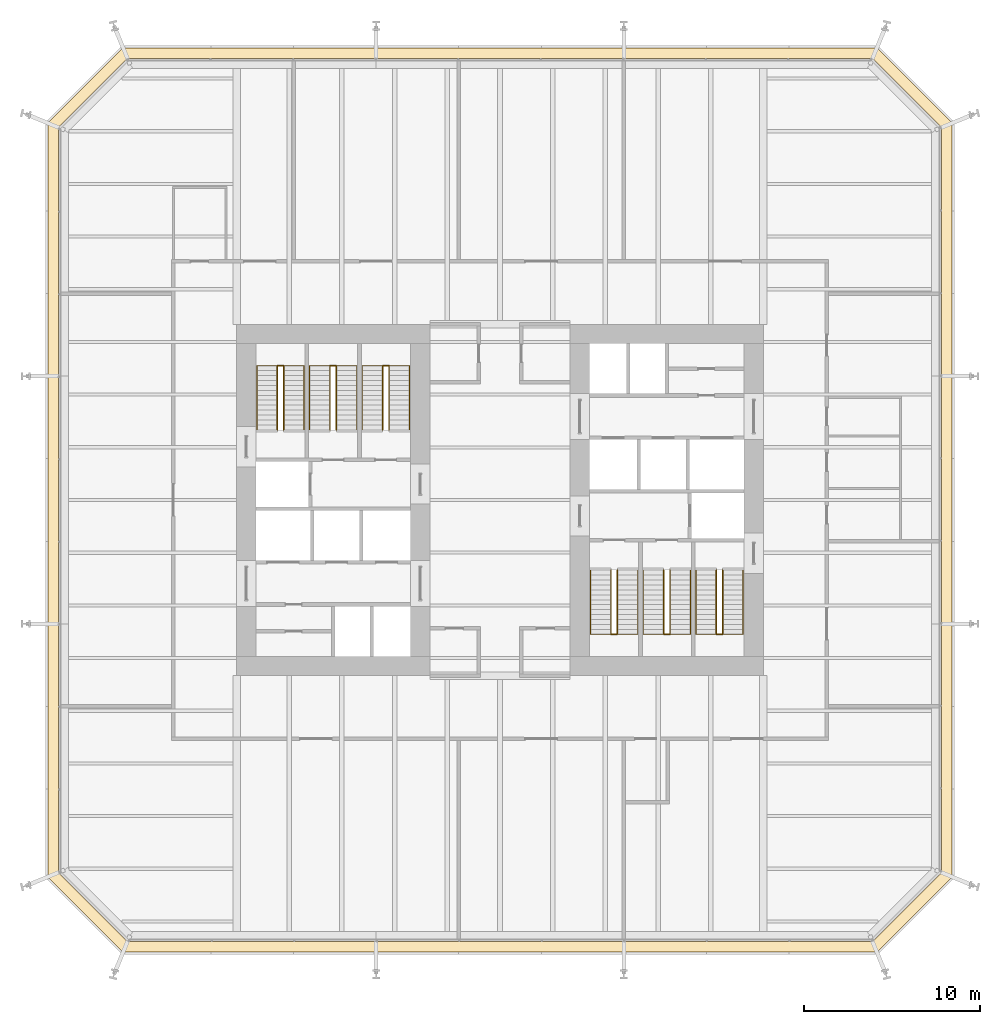
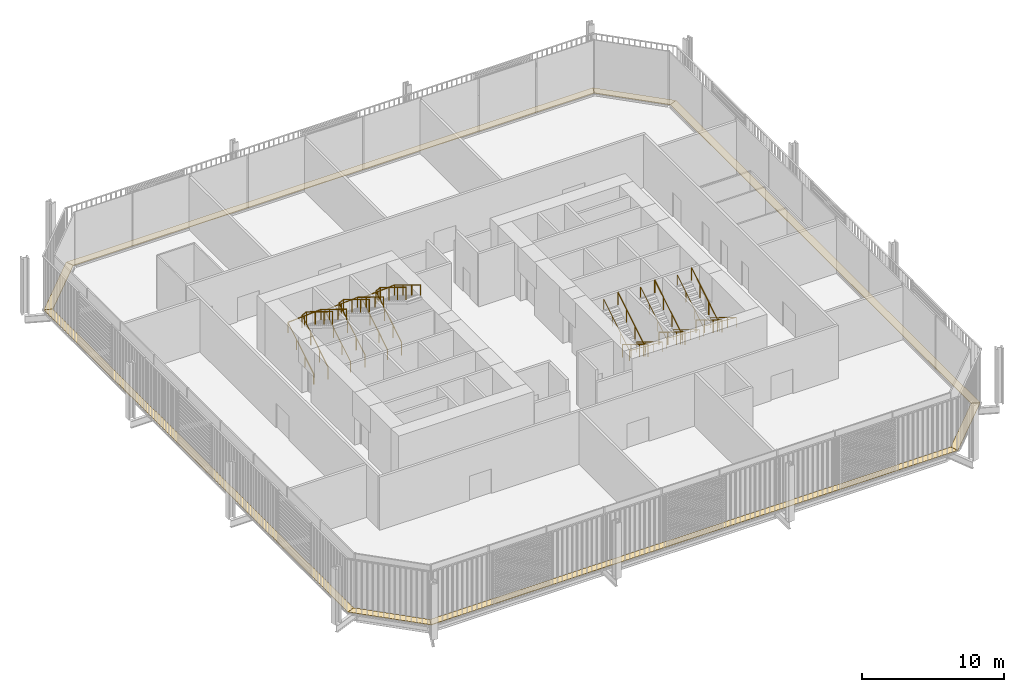
# One storey, part 22 of 22: 12 railings, 8 coverings.
"""IFC4 building model written with IfcOpenShell, lengths in metres."""

from ifc_helpers import new_model, si_unit, direction, frame, origin, origin_2d, place, context, subcontext, project, spatial, polyline, circle, outline, extrude, material, layer, layer_set, type_object, element, save


model = new_model("IFC4")

# Units and contexts
model_context = context("Model", 3, precision=1e-05, world=origin(), true_north=direction((0.0, 1.0)))
body_context = subcontext(model_context, "Body", "Model", "MODEL_VIEW")
ifc_project = project(units=[si_unit("LENGTHUNIT", "METRE"), si_unit("AREAUNIT", "SQUARE_METRE"), si_unit("VOLUMEUNIT", "CUBIC_METRE"), si_unit("PLANEANGLEUNIT", "RADIAN"), si_unit("MASSUNIT", "GRAM", prefix="KILO")], contexts=[model_context])

# Site, building, storey
site_placement = place(None, origin())
site = spatial("IfcSite", under=ifc_project, at=site_placement, CompositionType="ELEMENT")
building_placement = place(site_placement, origin())
building = spatial("IfcBuilding", under=site, at=building_placement, Name="Millrace Tower", CompositionType="ELEMENT")
storey_placement = place(building_placement, frame((0.0, 0.0, 40.10009765625)))
storey = spatial("IfcBuildingStorey", under=building, at=storey_placement, Name="L09", CompositionType="ELEMENT", Elevation=40.10009765625)

# Coverings
ifc_material_1 = material(Name="Steel ASTM A36", Category="steel")
ifc_layer = layer(ifc_material_1, 0.050048828125)
ifc_layer_set = layer_set([ifc_layer], Name="Steel ASTM A36")
covering_type = type_object("IfcCoveringType", Name="CAVITY CATWALK steel grating", PredefinedType="FLOORING", material=ifc_layer_set)
placement = place(storey_placement, frame((0.0, 0.0, 0.099853515625)))
element("IfcCovering", 1, at=placement, inside=storey, type_object=covering_type, Name="Cavity catwalk grating A-F01 L09 1", PredefinedType="FLOORING", context=body_context, shape_type="SweptSolid", body=[
    extrude(outline(polyline([(-25.75, -21.460693359375), (-21.460693359375, -25.75), (-21.212158203125, -25.14990234375), (-25.14990234375, -21.212158203125), (-25.75, -21.460693359375)])), origin(), (0.0, 0.0, 1.0), 0.050048828125),
])
element("IfcCovering", 2, at=placement, inside=storey, type_object=covering_type, Name="Cavity catwalk grating A-F02 L09 1", PredefinedType="FLOORING", context=body_context, shape_type="SweptSolid", body=[
    extrude(outline(polyline([(-21.460693359375, -25.75), (21.460693359375, -25.75), (21.212158203125, -25.14990234375), (-21.212158203125, -25.14990234375), (-21.460693359375, -25.75)])), origin(), (0.0, 0.0, 1.0), 0.050048828125),
])
element("IfcCovering", 3, at=placement, inside=storey, type_object=covering_type, Name="Cavity catwalk grating A-F03 L09 1", PredefinedType="FLOORING", context=body_context, shape_type="SweptSolid", body=[
    extrude(outline(polyline([(21.460693359375, -25.75), (25.75, -21.460693359375), (25.14990234375, -21.212158203125), (21.212158203125, -25.14990234375), (21.460693359375, -25.75)])), origin(), (0.0, 0.0, 1.0), 0.050048828125),
])
element("IfcCovering", 4, at=placement, inside=storey, type_object=covering_type, Name="Cavity catwalk grating A-F04 L09 1", PredefinedType="FLOORING", context=body_context, shape_type="SweptSolid", body=[
    extrude(outline(polyline([(25.75, -21.460693359375), (25.75, 21.460693359375), (25.14990234375, 21.212158203125), (25.14990234375, -21.212158203125), (25.75, -21.460693359375)])), origin(), (0.0, 0.0, 1.0), 0.050048828125),
])
element("IfcCovering", 5, at=placement, inside=storey, type_object=covering_type, Name="Cavity catwalk grating A-F05 L09 1", PredefinedType="FLOORING", context=body_context, shape_type="SweptSolid", body=[
    extrude(outline(polyline([(25.75, 21.460693359375), (21.460693359375, 25.75), (21.212158203125, 25.14990234375), (25.14990234375, 21.212158203125), (25.75, 21.460693359375)])), origin(), (0.0, 0.0, 1.0), 0.050048828125),
])
element("IfcCovering", 6, at=placement, inside=storey, type_object=covering_type, Name="Cavity catwalk grating A-F06 L09 1", PredefinedType="FLOORING", context=body_context, shape_type="SweptSolid", body=[
    extrude(outline(polyline([(21.460693359375, 25.75), (-21.460693359375, 25.75), (-21.212158203125, 25.14990234375), (21.212158203125, 25.14990234375), (21.460693359375, 25.75)])), origin(), (0.0, 0.0, 1.0), 0.050048828125),
])
element("IfcCovering", 7, at=placement, inside=storey, type_object=covering_type, Name="Cavity catwalk grating A-F07 L09 1", PredefinedType="FLOORING", context=body_context, shape_type="SweptSolid", body=[
    extrude(outline(polyline([(-21.460693359375, 25.75), (-25.75, 21.460693359375), (-25.14990234375, 21.212158203125), (-21.212158203125, 25.14990234375), (-21.460693359375, 25.75)])), origin(), (0.0, 0.0, 1.0), 0.050048828125),
])
element("IfcCovering", 8, at=placement, inside=storey, type_object=covering_type, Name="Cavity catwalk grating A-F08 L09 1", PredefinedType="FLOORING", context=body_context, shape_type="SweptSolid", body=[
    extrude(outline(polyline([(-25.75, 21.460693359375), (-25.75, -21.460693359375), (-25.14990234375, -21.212158203125), (-25.14990234375, 21.212158203125), (-25.75, 21.460693359375)])), origin(), (0.0, 0.0, 1.0), 0.050048828125),
])

# Railings
ifc_material_2 = material(Name="Stainless steel ASTM A240 type 316", Category="steel")
railing_type_1 = type_object("IfcRailingType", Name="Stair guard 1100", PredefinedType="GUARDRAIL", material=ifc_material_2)
for number, where, name in (
    (9, (-12.679931640625, 4.0, 0.17138671875), "Stair guard 1 W L09"),
    (10, (-9.679931640625, 4.0, 0.17138671875), "Stair guard 2 W L09"),
    (11, (-6.679931640625, 4.0, 0.17138671875), "Stair guard 3 W L09"),
):
    element("IfcRailing", number, at=place(storey_placement, frame(where)), inside=storey, type_object=railing_type_1, Name=name, PredefinedType="GUARDRAIL", context=body_context, shape_type="SweptSolid", body=[
        extrude(circle(Radius=0.02392578125, at=origin_2d()), frame((0.0, 0.0, 1.076171875), z_axis=(0.0, 0.852850264322, 0.5221555579), x_axis=(-1.0, 0.0, 0.0)), (0.0, 0.0, 1.0), 4.267822265625),
        extrude(circle(Radius=0.02392578125, at=origin_2d()), frame((0.0, 3.639892578125, 3.3046875), z_axis=(0.902837873996, 0.0, 0.429981131306), x_axis=(0.0, 1.0, 0.0)), (0.0, 0.0, 1.0), 0.398681640625),
        extrude(circle(Radius=0.02392578125, at=origin_2d()), frame((0.35986328125, 3.639892578125, 3.47607421875), z_axis=(0.0, -0.852850264322, 0.5221555579), x_axis=(1.0, 0.0, 0.0)), (0.0, 0.0, 1.0), 4.267822265625),
        extrude(circle(Radius=0.02099609375, at=origin_2d()), origin(), (0.0, 0.0, 1.0), 1.052001953125),
        extrude(circle(Radius=0.02099609375, at=origin_2d()), frame((0.0, 1.21337890625, 0.742919921875)), (0.0, 0.0, 1.0), 1.052001953125),
        extrude(circle(Radius=0.02099609375, at=origin_2d()), frame((0.0, 2.426513671875, 1.485595703125)), (0.0, 0.0, 1.0), 1.052001953125),
        extrude(circle(Radius=0.02099609375, at=origin_2d()), frame((0.0, 3.639892578125, 2.228515625)), (0.0, 0.0, 1.0), 1.052001953125),
        extrude(circle(Radius=0.02099609375, at=origin_2d()), frame((0.35986328125, 3.639892578125, 2.39990234375)), (0.0, 0.0, 1.0), 1.052001953125),
        extrude(circle(Radius=0.02099609375, at=origin_2d()), frame((0.35986328125, 2.426513671875, 3.142822265625)), (0.0, 0.0, 1.0), 1.052001953125),
        extrude(circle(Radius=0.02099609375, at=origin_2d()), frame((0.35986328125, 1.21337890625, 3.885498046875)), (0.0, 0.0, 1.0), 1.052001953125),
        extrude(circle(Radius=0.02099609375, at=origin_2d()), frame((0.35986328125, 0.0, 4.62841796875)), (0.0, 0.0, 1.0), 1.052001953125),
    ])
for number, where, name in (
    (12, (12.679931640625, -4.0, 0.17138671875), "Stair guard 1 E L09"),
    (13, (9.679931640625, -4.0, 0.17138671875), "Stair guard 2 E L09"),
    (14, (6.679931640625, -4.0, 0.17138671875), "Stair guard 3 E L09"),
):
    element("IfcRailing", number, at=place(storey_placement, frame(where)), inside=storey, type_object=railing_type_1, Name=name, PredefinedType="GUARDRAIL", context=body_context, shape_type="SweptSolid", body=[
        extrude(circle(Radius=0.02392578125, at=origin_2d()), frame((0.0, 0.0, 1.076171875), z_axis=(0.0, -0.852850264322, 0.5221555579), x_axis=(1.0, 0.0, 0.0)), (0.0, 0.0, 1.0), 4.267822265625),
        extrude(circle(Radius=0.02392578125, at=origin_2d()), frame((0.0, -3.639892578125, 3.3046875), z_axis=(-0.902837873996, 0.0, 0.429981131306), x_axis=(0.0, -1.0, 0.0)), (0.0, 0.0, 1.0), 0.398681640625),
        extrude(circle(Radius=0.02392578125, at=origin_2d()), frame((-0.35986328125, -3.639892578125, 3.47607421875), z_axis=(0.0, 0.852850264322, 0.5221555579), x_axis=(-1.0, 0.0, 0.0)), (0.0, 0.0, 1.0), 4.267822265625),
        extrude(circle(Radius=0.02099609375, at=origin_2d()), origin(), (0.0, 0.0, 1.0), 1.052001953125),
        extrude(circle(Radius=0.02099609375, at=origin_2d()), frame((0.0, -1.21337890625, 0.742919921875)), (0.0, 0.0, 1.0), 1.052001953125),
        extrude(circle(Radius=0.02099609375, at=origin_2d()), frame((0.0, -2.426513671875, 1.485595703125)), (0.0, 0.0, 1.0), 1.052001953125),
        extrude(circle(Radius=0.02099609375, at=origin_2d()), frame((0.0, -3.639892578125, 2.228515625)), (0.0, 0.0, 1.0), 1.052001953125),
        extrude(circle(Radius=0.02099609375, at=origin_2d()), frame((-0.35986328125, -3.639892578125, 2.39990234375)), (0.0, 0.0, 1.0), 1.052001953125),
        extrude(circle(Radius=0.02099609375, at=origin_2d()), frame((-0.35986328125, -2.426513671875, 3.142822265625)), (0.0, 0.0, 1.0), 1.052001953125),
        extrude(circle(Radius=0.02099609375, at=origin_2d()), frame((-0.35986328125, -1.21337890625, 3.885498046875)), (0.0, 0.0, 1.0), 1.052001953125),
        extrude(circle(Radius=0.02099609375, at=origin_2d()), frame((-0.35986328125, 0.0, 4.62841796875)), (0.0, 0.0, 1.0), 1.052001953125),
    ])
ifc_material_3 = material(Name="Stainless steel ASTM A240 type 316", Category="steel")
railing_type_2 = type_object("IfcRailingType", Name="Stair handrail 900", PredefinedType="HANDRAIL", material=ifc_material_3)
railing_1_placement = place(storey_placement, frame((-13.840087890625, 4.0, 0.17138671875)))
element("IfcRailing", 15, at=railing_1_placement, inside=storey, type_object=railing_type_2, Name="Stair handrail 1 W L09", PredefinedType="HANDRAIL", context=body_context, shape_type="SweptSolid", body=[
    extrude(circle(Radius=0.02392578125, at=origin_2d()), frame((0.0, 0.0, 0.8759765625), z_axis=(0.0, 0.852850264322, 0.5221555579), x_axis=(-1.0, 0.0, 0.0)), (0.0, 0.0, 1.0), 4.267822265625),
    extrude(circle(Radius=0.02392578125, at=origin_2d()), frame((0.0, 3.639892578125, 3.1044921875), z_axis=(0.9979616988, 0.0, 0.063815732607), x_axis=(0.0, 1.0, 0.0)), (0.0, 0.0, 1.0), 2.685546875),
    extrude(circle(Radius=0.02392578125, at=origin_2d()), frame((2.68017578125, 3.639892578125, 3.27587890625), z_axis=(0.0, -0.852850264322, 0.5221555579), x_axis=(1.0, 0.0, 0.0)), (0.0, 0.0, 1.0), 4.267822265625),
    extrude(circle(Radius=0.02099609375, at=origin_2d()), origin(), (0.0, 0.0, 1.0), 0.851806640625),
    extrude(circle(Radius=0.02099609375, at=origin_2d()), frame((0.0, 1.21337890625, 0.742919921875)), (0.0, 0.0, 1.0), 0.851806640625),
    extrude(circle(Radius=0.02099609375, at=origin_2d()), frame((0.0, 2.426513671875, 1.485595703125)), (0.0, 0.0, 1.0), 0.851806640625),
    extrude(circle(Radius=0.02099609375, at=origin_2d()), frame((0.0, 3.639892578125, 2.228515625)), (0.0, 0.0, 1.0), 0.851806640625),
    extrude(circle(Radius=0.02099609375, at=origin_2d()), frame((1.340087890625, 3.639892578125, 2.314208984375)), (0.0, 0.0, 1.0), 0.851806640625),
    extrude(circle(Radius=0.02099609375, at=origin_2d()), frame((2.68017578125, 3.639892578125, 2.39990234375)), (0.0, 0.0, 1.0), 0.851806640625),
    extrude(circle(Radius=0.02099609375, at=origin_2d()), frame((2.68017578125, 2.426513671875, 3.142822265625)), (0.0, 0.0, 1.0), 0.851806640625),
    extrude(circle(Radius=0.02099609375, at=origin_2d()), frame((2.68017578125, 1.21337890625, 3.885498046875)), (0.0, 0.0, 1.0), 0.851806640625),
    extrude(circle(Radius=0.02099609375, at=origin_2d()), frame((2.68017578125, 0.0, 4.62841796875)), (0.0, 0.0, 1.0), 0.851806640625),
])
railing_2_placement = place(storey_placement, frame((-10.840087890625, 4.0, 0.17138671875)))
element("IfcRailing", 16, at=railing_2_placement, inside=storey, type_object=railing_type_2, Name="Stair handrail 2 W L09", PredefinedType="HANDRAIL", context=body_context, shape_type="SweptSolid", body=[
    extrude(circle(Radius=0.02392578125, at=origin_2d()), frame((0.0, 0.0, 0.8759765625), z_axis=(0.0, 0.852850264322, 0.5221555579), x_axis=(-1.0, 0.0, 0.0)), (0.0, 0.0, 1.0), 4.267822265625),
    extrude(circle(Radius=0.02392578125, at=origin_2d()), frame((0.0, 3.639892578125, 3.1044921875), z_axis=(0.9979616988, 0.0, 0.063815732607), x_axis=(0.0, 1.0, 0.0)), (0.0, 0.0, 1.0), 2.685546875),
    extrude(circle(Radius=0.02392578125, at=origin_2d()), frame((2.68017578125, 3.639892578125, 3.27587890625), z_axis=(0.0, -0.852850264322, 0.5221555579), x_axis=(1.0, 0.0, 0.0)), (0.0, 0.0, 1.0), 4.267822265625),
    extrude(circle(Radius=0.02099609375, at=origin_2d()), origin(), (0.0, 0.0, 1.0), 0.851806640625),
    extrude(circle(Radius=0.02099609375, at=origin_2d()), frame((0.0, 1.21337890625, 0.742919921875)), (0.0, 0.0, 1.0), 0.851806640625),
    extrude(circle(Radius=0.02099609375, at=origin_2d()), frame((0.0, 2.426513671875, 1.485595703125)), (0.0, 0.0, 1.0), 0.851806640625),
    extrude(circle(Radius=0.02099609375, at=origin_2d()), frame((0.0, 3.639892578125, 2.228515625)), (0.0, 0.0, 1.0), 0.851806640625),
    extrude(circle(Radius=0.02099609375, at=origin_2d()), frame((1.340087890625, 3.639892578125, 2.314208984375)), (0.0, 0.0, 1.0), 0.851806640625),
    extrude(circle(Radius=0.02099609375, at=origin_2d()), frame((2.68017578125, 3.639892578125, 2.39990234375)), (0.0, 0.0, 1.0), 0.851806640625),
    extrude(circle(Radius=0.02099609375, at=origin_2d()), frame((2.68017578125, 2.426513671875, 3.142822265625)), (0.0, 0.0, 1.0), 0.851806640625),
    extrude(circle(Radius=0.02099609375, at=origin_2d()), frame((2.68017578125, 1.21337890625, 3.885498046875)), (0.0, 0.0, 1.0), 0.851806640625),
    extrude(circle(Radius=0.02099609375, at=origin_2d()), frame((2.68017578125, 0.0, 4.62841796875)), (0.0, 0.0, 1.0), 0.851806640625),
])
railing_3_placement = place(storey_placement, frame((-7.840087890625, 4.0, 0.17138671875)))
element("IfcRailing", 17, at=railing_3_placement, inside=storey, type_object=railing_type_2, Name="Stair handrail 3 W L09", PredefinedType="HANDRAIL", context=body_context, shape_type="SweptSolid", body=[
    extrude(circle(Radius=0.02392578125, at=origin_2d()), frame((0.0, 0.0, 0.8759765625), z_axis=(0.0, 0.852850264322, 0.5221555579), x_axis=(-1.0, 0.0, 0.0)), (0.0, 0.0, 1.0), 4.267822265625),
    extrude(circle(Radius=0.02392578125, at=origin_2d()), frame((0.0, 3.639892578125, 3.1044921875), z_axis=(0.9979616988, 0.0, 0.063815732607), x_axis=(0.0, 1.0, 0.0)), (0.0, 0.0, 1.0), 2.685546875),
    extrude(circle(Radius=0.02392578125, at=origin_2d()), frame((2.68017578125, 3.639892578125, 3.27587890625), z_axis=(0.0, -0.852850264322, 0.5221555579), x_axis=(1.0, 0.0, 0.0)), (0.0, 0.0, 1.0), 4.267822265625),
    extrude(circle(Radius=0.02099609375, at=origin_2d()), origin(), (0.0, 0.0, 1.0), 0.851806640625),
    extrude(circle(Radius=0.02099609375, at=origin_2d()), frame((0.0, 1.21337890625, 0.742919921875)), (0.0, 0.0, 1.0), 0.851806640625),
    extrude(circle(Radius=0.02099609375, at=origin_2d()), frame((0.0, 2.426513671875, 1.485595703125)), (0.0, 0.0, 1.0), 0.851806640625),
    extrude(circle(Radius=0.02099609375, at=origin_2d()), frame((0.0, 3.639892578125, 2.228515625)), (0.0, 0.0, 1.0), 0.851806640625),
    extrude(circle(Radius=0.02099609375, at=origin_2d()), frame((1.340087890625, 3.639892578125, 2.314208984375)), (0.0, 0.0, 1.0), 0.851806640625),
    extrude(circle(Radius=0.02099609375, at=origin_2d()), frame((2.68017578125, 3.639892578125, 2.39990234375)), (0.0, 0.0, 1.0), 0.851806640625),
    extrude(circle(Radius=0.02099609375, at=origin_2d()), frame((2.68017578125, 2.426513671875, 3.142822265625)), (0.0, 0.0, 1.0), 0.851806640625),
    extrude(circle(Radius=0.02099609375, at=origin_2d()), frame((2.68017578125, 1.21337890625, 3.885498046875)), (0.0, 0.0, 1.0), 0.851806640625),
    extrude(circle(Radius=0.02099609375, at=origin_2d()), frame((2.68017578125, 0.0, 4.62841796875)), (0.0, 0.0, 1.0), 0.851806640625),
])
railing_4_placement = place(storey_placement, frame((13.840087890625, -4.0, 0.17138671875)))
element("IfcRailing", 18, at=railing_4_placement, inside=storey, type_object=railing_type_2, Name="Stair handrail 1 E L09", PredefinedType="HANDRAIL", context=body_context, shape_type="SweptSolid", body=[
    extrude(circle(Radius=0.02392578125, at=origin_2d()), frame((0.0, 0.0, 0.8759765625), z_axis=(0.0, -0.852850264322, 0.5221555579), x_axis=(1.0, 0.0, 0.0)), (0.0, 0.0, 1.0), 4.267822265625),
    extrude(circle(Radius=0.02392578125, at=origin_2d()), frame((0.0, -3.639892578125, 3.1044921875), z_axis=(-0.9979616988, 0.0, 0.063815732607), x_axis=(0.0, -1.0, 0.0)), (0.0, 0.0, 1.0), 2.685546875),
    extrude(circle(Radius=0.02392578125, at=origin_2d()), frame((-2.68017578125, -3.639892578125, 3.27587890625), z_axis=(0.0, 0.852850264322, 0.5221555579), x_axis=(-1.0, 0.0, 0.0)), (0.0, 0.0, 1.0), 4.267822265625),
    extrude(circle(Radius=0.02099609375, at=origin_2d()), origin(), (0.0, 0.0, 1.0), 0.851806640625),
    extrude(circle(Radius=0.02099609375, at=origin_2d()), frame((0.0, -1.21337890625, 0.742919921875)), (0.0, 0.0, 1.0), 0.851806640625),
    extrude(circle(Radius=0.02099609375, at=origin_2d()), frame((0.0, -2.426513671875, 1.485595703125)), (0.0, 0.0, 1.0), 0.851806640625),
    extrude(circle(Radius=0.02099609375, at=origin_2d()), frame((0.0, -3.639892578125, 2.228515625)), (0.0, 0.0, 1.0), 0.851806640625),
    extrude(circle(Radius=0.02099609375, at=origin_2d()), frame((-1.340087890625, -3.639892578125, 2.314208984375)), (0.0, 0.0, 1.0), 0.851806640625),
    extrude(circle(Radius=0.02099609375, at=origin_2d()), frame((-2.68017578125, -3.639892578125, 2.39990234375)), (0.0, 0.0, 1.0), 0.851806640625),
    extrude(circle(Radius=0.02099609375, at=origin_2d()), frame((-2.68017578125, -2.426513671875, 3.142822265625)), (0.0, 0.0, 1.0), 0.851806640625),
    extrude(circle(Radius=0.02099609375, at=origin_2d()), frame((-2.68017578125, -1.21337890625, 3.885498046875)), (0.0, 0.0, 1.0), 0.851806640625),
    extrude(circle(Radius=0.02099609375, at=origin_2d()), frame((-2.68017578125, 0.0, 4.62841796875)), (0.0, 0.0, 1.0), 0.851806640625),
])
railing_5_placement = place(storey_placement, frame((10.840087890625, -4.0, 0.17138671875)))
element("IfcRailing", 19, at=railing_5_placement, inside=storey, type_object=railing_type_2, Name="Stair handrail 2 E L09", PredefinedType="HANDRAIL", context=body_context, shape_type="SweptSolid", body=[
    extrude(circle(Radius=0.02392578125, at=origin_2d()), frame((0.0, 0.0, 0.8759765625), z_axis=(0.0, -0.852850264322, 0.5221555579), x_axis=(1.0, 0.0, 0.0)), (0.0, 0.0, 1.0), 4.267822265625),
    extrude(circle(Radius=0.02392578125, at=origin_2d()), frame((0.0, -3.639892578125, 3.1044921875), z_axis=(-0.9979616988, 0.0, 0.063815732607), x_axis=(0.0, -1.0, 0.0)), (0.0, 0.0, 1.0), 2.685546875),
    extrude(circle(Radius=0.02392578125, at=origin_2d()), frame((-2.68017578125, -3.639892578125, 3.27587890625), z_axis=(0.0, 0.852850264322, 0.5221555579), x_axis=(-1.0, 0.0, 0.0)), (0.0, 0.0, 1.0), 4.267822265625),
    extrude(circle(Radius=0.02099609375, at=origin_2d()), origin(), (0.0, 0.0, 1.0), 0.851806640625),
    extrude(circle(Radius=0.02099609375, at=origin_2d()), frame((0.0, -1.21337890625, 0.742919921875)), (0.0, 0.0, 1.0), 0.851806640625),
    extrude(circle(Radius=0.02099609375, at=origin_2d()), frame((0.0, -2.426513671875, 1.485595703125)), (0.0, 0.0, 1.0), 0.851806640625),
    extrude(circle(Radius=0.02099609375, at=origin_2d()), frame((0.0, -3.639892578125, 2.228515625)), (0.0, 0.0, 1.0), 0.851806640625),
    extrude(circle(Radius=0.02099609375, at=origin_2d()), frame((-1.340087890625, -3.639892578125, 2.314208984375)), (0.0, 0.0, 1.0), 0.851806640625),
    extrude(circle(Radius=0.02099609375, at=origin_2d()), frame((-2.68017578125, -3.639892578125, 2.39990234375)), (0.0, 0.0, 1.0), 0.851806640625),
    extrude(circle(Radius=0.02099609375, at=origin_2d()), frame((-2.68017578125, -2.426513671875, 3.142822265625)), (0.0, 0.0, 1.0), 0.851806640625),
    extrude(circle(Radius=0.02099609375, at=origin_2d()), frame((-2.68017578125, -1.21337890625, 3.885498046875)), (0.0, 0.0, 1.0), 0.851806640625),
    extrude(circle(Radius=0.02099609375, at=origin_2d()), frame((-2.68017578125, 0.0, 4.62841796875)), (0.0, 0.0, 1.0), 0.851806640625),
])
railing_6_placement = place(storey_placement, frame((7.840087890625, -4.0, 0.17138671875)))
element("IfcRailing", 20, at=railing_6_placement, inside=storey, type_object=railing_type_2, Name="Stair handrail 3 E L09", PredefinedType="HANDRAIL", context=body_context, shape_type="SweptSolid", body=[
    extrude(circle(Radius=0.02392578125, at=origin_2d()), frame((0.0, 0.0, 0.8759765625), z_axis=(0.0, -0.852850264322, 0.5221555579), x_axis=(1.0, 0.0, 0.0)), (0.0, 0.0, 1.0), 4.267822265625),
    extrude(circle(Radius=0.02392578125, at=origin_2d()), frame((0.0, -3.639892578125, 3.1044921875), z_axis=(-0.9979616988, 0.0, 0.063815732607), x_axis=(0.0, -1.0, 0.0)), (0.0, 0.0, 1.0), 2.685546875),
    extrude(circle(Radius=0.02392578125, at=origin_2d()), frame((-2.68017578125, -3.639892578125, 3.27587890625), z_axis=(0.0, 0.852850264322, 0.5221555579), x_axis=(-1.0, 0.0, 0.0)), (0.0, 0.0, 1.0), 4.267822265625),
    extrude(circle(Radius=0.02099609375, at=origin_2d()), origin(), (0.0, 0.0, 1.0), 0.851806640625),
    extrude(circle(Radius=0.02099609375, at=origin_2d()), frame((0.0, -1.21337890625, 0.742919921875)), (0.0, 0.0, 1.0), 0.851806640625),
    extrude(circle(Radius=0.02099609375, at=origin_2d()), frame((0.0, -2.426513671875, 1.485595703125)), (0.0, 0.0, 1.0), 0.851806640625),
    extrude(circle(Radius=0.02099609375, at=origin_2d()), frame((0.0, -3.639892578125, 2.228515625)), (0.0, 0.0, 1.0), 0.851806640625),
    extrude(circle(Radius=0.02099609375, at=origin_2d()), frame((-1.340087890625, -3.639892578125, 2.314208984375)), (0.0, 0.0, 1.0), 0.851806640625),
    extrude(circle(Radius=0.02099609375, at=origin_2d()), frame((-2.68017578125, -3.639892578125, 2.39990234375)), (0.0, 0.0, 1.0), 0.851806640625),
    extrude(circle(Radius=0.02099609375, at=origin_2d()), frame((-2.68017578125, -2.426513671875, 3.142822265625)), (0.0, 0.0, 1.0), 0.851806640625),
    extrude(circle(Radius=0.02099609375, at=origin_2d()), frame((-2.68017578125, -1.21337890625, 3.885498046875)), (0.0, 0.0, 1.0), 0.851806640625),
    extrude(circle(Radius=0.02099609375, at=origin_2d()), frame((-2.68017578125, 0.0, 4.62841796875)), (0.0, 0.0, 1.0), 0.851806640625),
])

save(model, "model.ifc")
